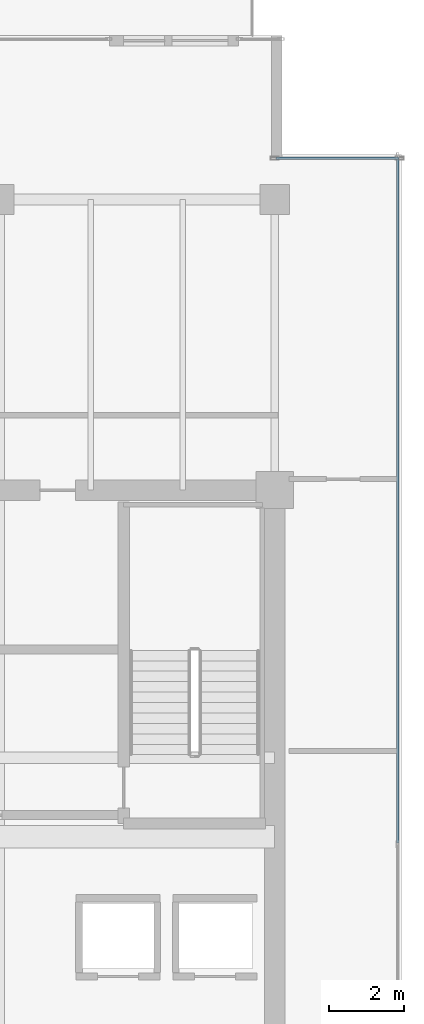
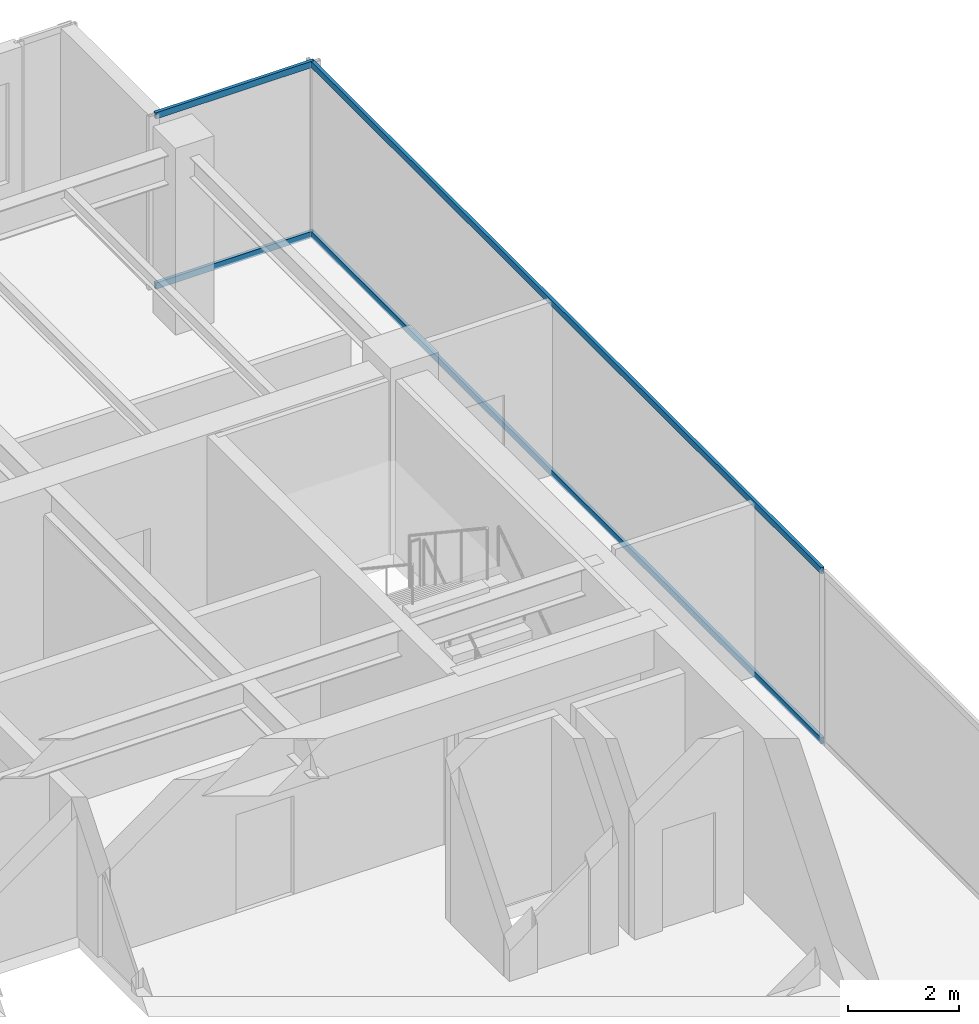
# One storey, part 25 of 34: 4 members, 2 elements without a shape of their own.
"""IFC4 building model written with IfcOpenShell, lengths in metres."""

from ifc_helpers import new_model, si_unit, direction, frame, origin, origin_2d, place, context, subcontext, project, spatial, hollow_rectangle, extrude, source, transform, mapped, material, layer, layer_set, material_profile, profile_set, type_object, type_shapes, element, aggregate, save


model = new_model("IFC4")

# Units and contexts
model_context = context("Model", 3, precision=1e-05, world=origin(), true_north=direction((0.0, 1.0)))
body_context = subcontext(model_context, "Body", "Model", "MODEL_VIEW")
ifc_project = project(units=[si_unit("LENGTHUNIT", "METRE"), si_unit("AREAUNIT", "SQUARE_METRE"), si_unit("VOLUMEUNIT", "CUBIC_METRE"), si_unit("PLANEANGLEUNIT", "RADIAN"), si_unit("MASSUNIT", "GRAM", prefix="KILO")], contexts=[model_context])

# Site, building, storey
site_placement = place(None, origin())
site = spatial("IfcSite", under=ifc_project, at=site_placement, CompositionType="ELEMENT")
building_placement = place(site_placement, origin())
building = spatial("IfcBuilding", under=site, at=building_placement, Name="Haelvirn Gate Laboratories", CompositionType="ELEMENT")
storey_placement = place(building_placement, frame((0.0, 0.0, 205.5)))
storey = spatial("IfcBuildingStorey", under=building, at=storey_placement, Name="L49", CompositionType="ELEMENT", Elevation=205.5)

# Curtain wall, members
ifc_material_1 = material(Name="Anodised bronze unitised aluminium & triple low-E glass", Category="aluminium")
ifc_layer_1 = layer(ifc_material_1, 0.181884765625, Name="CW-SYS-5")
ifc_layer_set_1 = layer_set([ifc_layer_1], Name="Anodised bronze unitised aluminium & triple low-E glass")
curtain_wall_type_1 = type_object("IfcCurtainWallType", Name="CW-SYS-5", PredefinedType="NOTDEFINED", material=ifc_layer_set_1)
curtain_wall_1_placement = place(storey_placement, origin())
curtain_wall_1 = element("IfcCurtainWall", 1, at=curtain_wall_1_placement, inside=storey, type_object=curtain_wall_type_1, Name="L49 Unitised Curtain Wall CW-L49-P0-E08-1", PredefinedType="NOTDEFINED")
ifc_material_2 = material(Name="Extruded aluminium 6063-T6 (anodised bronze)", Category="aluminium")
ifc_material_profile = material_profile(ifc_material_2, hollow_rectangle(XDim=0.06494140625, YDim=0.139892578125, WallThickness=0.00390625, at=origin_2d()), Name="CWT-140x65x4")
ifc_profile_set = profile_set([ifc_material_profile], Name="Extruded aluminium 6063-T6 (anodised bronze)")
member_type = type_object("IfcMemberType", Name="CWT-T140", PredefinedType="USERDEFINED", material=ifc_profile_set)
shared_shape_1 = source(origin(), body_context, "Body", "SweptSolid", [
    extrude(hollow_rectangle(XDim=0.06494140625, YDim=0.139892578125, WallThickness=0.00390625, at=origin_2d()), origin(), (0.0, 0.0, 1.0), 3.280029296875),
])
member_1_placement = place(storey_placement, frame((67.43994140625, 42.699951171875, 0.032470703125), z_axis=(1.0, 0.0, 0.0), x_axis=(0.0, 1.0, 0.0)))
member_1 = element("IfcMember", 2, at=member_1_placement, type_object=member_type, Name="CW5 transom 1.1", ObjectType="TRANSOM", PredefinedType="USERDEFINED", context=body_context, shape_type="MappedRepresentation", body=[
    mapped(shared_shape_1, transform((0.0, 0.0, 0.0), scale=1.0)),
])
member_2_placement = place(storey_placement, frame((67.43994140625, 42.699951171875, 3.767578125), z_axis=(1.0, 0.0, 0.0), x_axis=(0.0, 1.0, 0.0)))
member_2 = element("IfcMember", 3, at=member_2_placement, type_object=member_type, Name="CW5 transom 1.2", ObjectType="TRANSOM", PredefinedType="USERDEFINED", context=body_context, shape_type="MappedRepresentation", body=[
    mapped(shared_shape_1, transform((0.0, 0.0, 0.0), scale=1.0)),
])
aggregate(curtain_wall_1, [member_1, member_2])

ifc_layer_2 = layer(ifc_material_1, 0.176025390625, Name="CW-SYS-4")
ifc_layer_set_2 = layer_set([ifc_layer_2], Name="Anodised bronze unitised aluminium & triple low-E glass")
curtain_wall_type_2 = type_object("IfcCurtainWallType", Name="CW-SYS-4", PredefinedType="NOTDEFINED", material=ifc_layer_set_2)
curtain_wall_2_placement = place(storey_placement, origin())
curtain_wall_2 = element("IfcCurtainWall", 4, at=curtain_wall_2_placement, inside=storey, type_object=curtain_wall_type_2, Name="L49 Unitised Curtain Wall CW-L49-P0-E07", PredefinedType="NOTDEFINED")
shared_shape_2 = source(origin(), body_context, "Body", "SweptSolid", [
    extrude(hollow_rectangle(XDim=0.06494140625, YDim=0.139892578125, WallThickness=0.00390625, at=origin_2d()), origin(), (0.0, 0.0, 1.0), 18.39501953125),
])
type_shapes(member_type, [shared_shape_1, shared_shape_2])
member_3_placement = place(storey_placement, frame((70.699951171875, 24.3349609375, 0.032470703125), z_axis=(0.0, 1.0, 0.0), x_axis=(-1.0, 0.0, 0.0)))
member_3 = element("IfcMember", 5, at=member_3_placement, type_object=member_type, Name="CW4 transom 2.1", ObjectType="TRANSOM", PredefinedType="USERDEFINED", context=body_context, shape_type="MappedRepresentation", body=[
    mapped(shared_shape_2, transform((0.0, 0.0, 0.0), scale=1.0)),
])
member_4_placement = place(storey_placement, frame((70.699951171875, 24.3349609375, 3.767578125), z_axis=(0.0, 1.0, 0.0), x_axis=(-1.0, 0.0, 0.0)))
member_4 = element("IfcMember", 6, at=member_4_placement, type_object=member_type, Name="CW4 transom 2.2", ObjectType="TRANSOM", PredefinedType="USERDEFINED", context=body_context, shape_type="MappedRepresentation", body=[
    mapped(shared_shape_2, transform((0.0, 0.0, 0.0), scale=1.0)),
])
aggregate(curtain_wall_2, [member_3, member_4])

save(model, "model.ifc")
